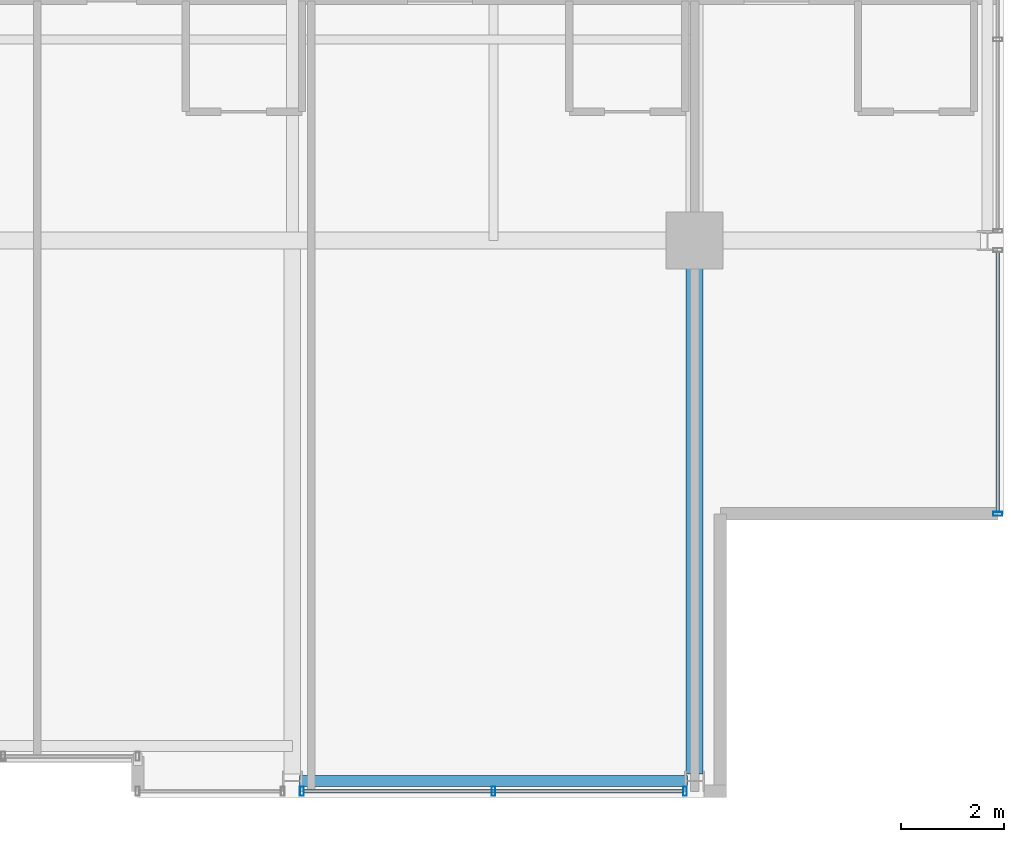
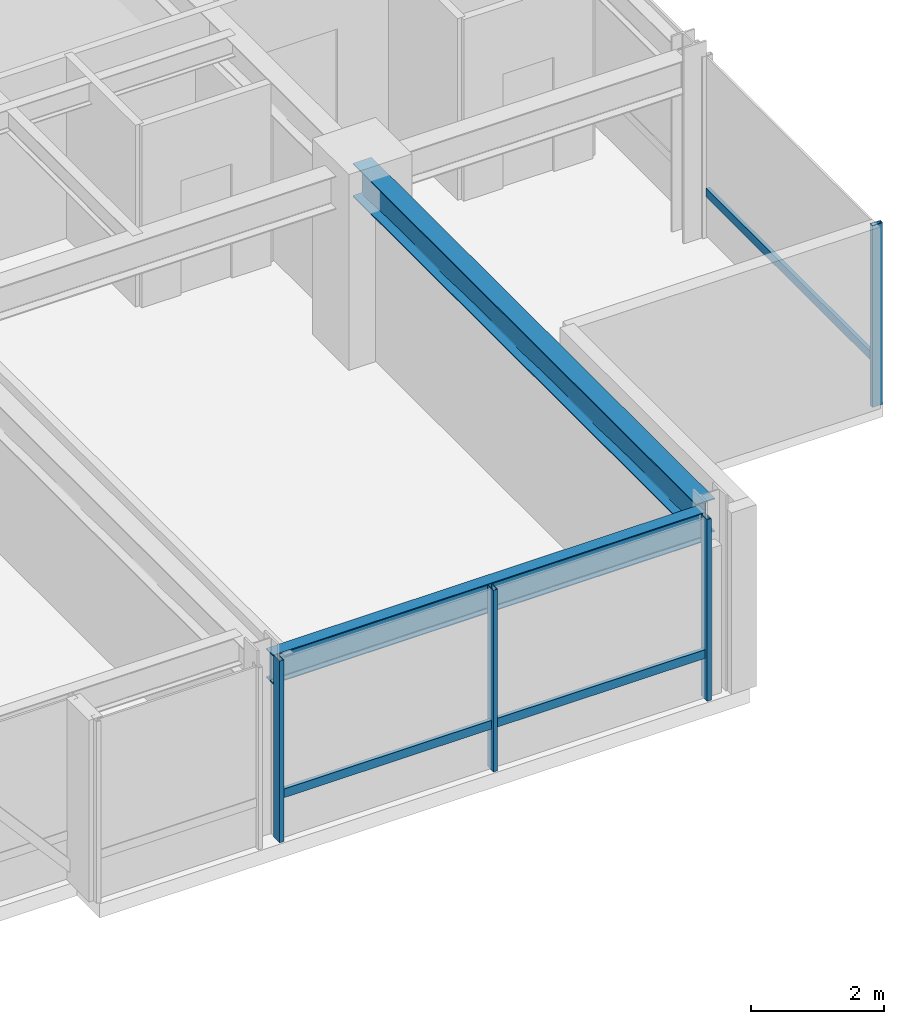
# One storey, part 12 of 32: 6 members, 2 beams, 2 elements without a shape of their own.
"""IFC4 building model written with IfcOpenShell, lengths in metres."""

from ifc_helpers import new_model, si_unit, direction, frame, origin, origin_2d, place, context, subcontext, project, spatial, hollow_rectangle, i_section, extrude, material, layer, layer_set, material_profile, profile_set, type_object, element, aggregate, save


model = new_model("IFC4")

# Units and contexts
model_context = context("Model", 3, precision=1e-05, world=origin(), true_north=direction((0.0, 1.0)))
body_context = subcontext(model_context, "Body", "Model", "MODEL_VIEW")
ifc_project = project(units=[si_unit("LENGTHUNIT", "METRE"), si_unit("AREAUNIT", "SQUARE_METRE"), si_unit("VOLUMEUNIT", "CUBIC_METRE"), si_unit("PLANEANGLEUNIT", "RADIAN"), si_unit("MASSUNIT", "GRAM", prefix="KILO")], contexts=[model_context])

# Site, building, storey
site_placement = place(None, origin())
site = spatial("IfcSite", under=ifc_project, at=site_placement, CompositionType="ELEMENT")
building_placement = place(site_placement, origin())
building = spatial("IfcBuilding", under=site, at=building_placement, Name="Drelvath Grand Hotel", CompositionType="ELEMENT")
storey_placement = place(building_placement, frame((0.0, 0.0, 233.89990234375)))
storey = spatial("IfcBuildingStorey", under=building, at=storey_placement, Name="L61", CompositionType="ELEMENT", Elevation=233.89990234375)

# Curtain wall, member
ifc_material_1 = material(Name="Platinum-Mist Anodised Aluminium Frame", Category="aluminium")
ifc_layer = layer(ifc_material_1, 0.199951171875)
ifc_layer_set = layer_set([ifc_layer], Name="Platinum-Mist Anodised Aluminium Frame")
curtain_wall_type = type_object("IfcCurtainWallType", Name="Stick Curtain Wall CW-05 Platinum Mist High-Rise", PredefinedType="NOTDEFINED", material=ifc_layer_set)
curtain_wall_1_placement = place(storey_placement, origin())
curtain_wall_1 = element("IfcCurtainWall", 1, at=curtain_wall_1_placement, inside=storey, type_object=curtain_wall_type, Name="L61 CW-05 Curtain Wall CW05-L61-ES1", PredefinedType="NOTDEFINED")
ifc_material_profile_1 = material_profile(ifc_material_1, hollow_rectangle(XDim=0.06494140625, YDim=0.159912109375, WallThickness=0.00390625, at=origin_2d()), Name="HSS160X65X4")
ifc_profile_set_1 = profile_set([ifc_material_profile_1], Name="Platinum-Mist Anodised Aluminium Frame")
member_type_1 = type_object("IfcMemberType", Name="Curtain Wall Horizontal Transom CW-05 HSS160X65X4", PredefinedType="USERDEFINED", material=ifc_profile_set_1)
member_1_placement = place(storey_placement, frame((22.080078125, 10.57470703125, 0.835205078125), z_axis=(0.0, -1.0, 0.0), x_axis=(1.0, 0.0, 0.0)))
member_1 = element("IfcMember", 2, at=member_1_placement, type_object=member_type_1, Name="CW05-L61-ES1 Sill Transom", ObjectType="TRANSOM", PredefinedType="USERDEFINED", context=body_context, shape_type="SweptSolid", body=[
    extrude(hollow_rectangle(XDim=0.06494140625, YDim=0.159912109375, WallThickness=0.00390625, at=origin_2d()), origin(), (0.0, 0.0, 1.0), 5.03466796875),
])

curtain_wall_2_placement = place(storey_placement, origin())
curtain_wall_2 = element("IfcCurtainWall", 3, at=curtain_wall_2_placement, inside=storey, type_object=curtain_wall_type, Name="L61 CW-05 Curtain Wall CW05-L61-SE2", PredefinedType="NOTDEFINED")
member_2_placement = place(storey_placement, frame((15.974609375, 0.1201171875, 0.835205078125), z_axis=(-1.0, 0.0, 0.0), x_axis=(0.0, -1.0, 0.0)))
member_2 = element("IfcMember", 4, at=member_2_placement, type_object=member_type_1, Name="CW05-L61-SE2 Sill Transom", ObjectType="TRANSOM", PredefinedType="USERDEFINED", context=body_context, shape_type="SweptSolid", body=[
    extrude(hollow_rectangle(XDim=0.06494140625, YDim=0.159912109375, WallThickness=0.00390625, at=origin_2d()), origin(), (0.0, 0.0, 1.0), 7.349365234375),
])

# Member
ifc_material_profile_2 = material_profile(ifc_material_1, hollow_rectangle(XDim=0.074951171875, YDim=0.179931640625, WallThickness=0.0048828125, at=origin_2d()), Name="HSS180X75X5")
ifc_profile_set_2 = profile_set([ifc_material_profile_2], Name="Platinum-Mist Anodised Aluminium Frame")
member_type_2 = type_object("IfcMemberType", Name="Curtain Wall Vertical Mullion CW-05 HSS180X75X5", PredefinedType="MULLION", material=ifc_profile_set_2)
member_3_placement = place(storey_placement, frame((22.080078125, 5.5, 0.0), z_axis=(0.0, 0.0, 1.0), x_axis=(0.0, 1.0, 0.0)))
member_3 = element("IfcMember", 5, at=member_3_placement, type_object=member_type_2, Name="CW05-L61-ES1 Mullion 2", PredefinedType="MULLION", context=body_context, shape_type="SweptSolid", body=[
    extrude(hollow_rectangle(XDim=0.074951171875, YDim=0.179931640625, WallThickness=0.0048828125, at=origin_2d()), origin(), (0.0, 0.0, 1.0), 3.340087890625),
])

aggregate(curtain_wall_1, [member_3, member_1])

member_4_placement = place(storey_placement, frame((16.0146484375, 0.1201171875, 0.0), z_axis=(0.0, 0.0, 1.0), x_axis=(1.0, 0.0, 0.0)))
member_4 = element("IfcMember", 6, at=member_4_placement, type_object=member_type_2, Name="CW05-L61-SE2 Mullion 1", PredefinedType="MULLION", context=body_context, shape_type="SweptSolid", body=[
    extrude(hollow_rectangle(XDim=0.074951171875, YDim=0.179931640625, WallThickness=0.0048828125, at=origin_2d()), origin(), (0.0, 0.0, 1.0), 3.340087890625),
])

member_5_placement = place(storey_placement, frame((12.300048828125, 0.1201171875, 0.0), z_axis=(0.0, 0.0, 1.0), x_axis=(1.0, 0.0, 0.0)))
member_5 = element("IfcMember", 7, at=member_5_placement, type_object=member_type_2, Name="CW05-L61-SE2 Mullion 2", PredefinedType="MULLION", context=body_context, shape_type="SweptSolid", body=[
    extrude(hollow_rectangle(XDim=0.074951171875, YDim=0.179931640625, WallThickness=0.0048828125, at=origin_2d()), origin(), (0.0, 0.0, 1.0), 3.340087890625),
])

member_6_placement = place(storey_placement, frame((8.585205078125, 0.1201171875, 0.0), z_axis=(0.0, 0.0, 1.0), x_axis=(1.0, 0.0, 0.0)))
member_6 = element("IfcMember", 8, at=member_6_placement, type_object=member_type_2, Name="CW05-L61-SE2 Mullion 3", PredefinedType="MULLION", context=body_context, shape_type="SweptSolid", body=[
    extrude(hollow_rectangle(XDim=0.074951171875, YDim=0.179931640625, WallThickness=0.0048828125, at=origin_2d()), origin(), (0.0, 0.0, 1.0), 3.340087890625),
])

aggregate(curtain_wall_2, [member_4, member_5, member_6, member_2])

# Beams
ifc_material_2 = material(Name="Steel ASTM A992 Gr 50", Category="steel")
ifc_material_profile_3 = material_profile(ifc_material_2, i_section(OverallWidth=0.210205078125, OverallDepth=0.53662109375, WebThickness=0.010986328125, FlangeThickness=0.017333984375, FilletRadius=0.01806640625, at=origin_2d()), Name="W21X68")
ifc_profile_set_3 = profile_set([ifc_material_profile_3], Name="Steel ASTM A992 Gr 50")
beam_type_1 = type_object("IfcBeamType", Name="Perimeter Spandrel Beam W21X68", PredefinedType="SPANDREL", material=ifc_profile_set_3)
beam_1_placement = place(storey_placement, frame((8.5400390625, 0.320068359375, 3.07177734375), z_axis=(1.0, 0.0, 0.0), x_axis=(0.0, 1.0, 0.0)))
element("IfcBeam", 9, at=beam_1_placement, inside=storey, type_object=beam_type_1, Name="L61 Spandrel South E", PredefinedType="SPANDREL", context=body_context, shape_type="SweptSolid", body=[
    extrude(i_section(OverallWidth=0.210205078125, OverallDepth=0.53662109375, WebThickness=0.010986328125, FlangeThickness=0.017333984375, FilletRadius=0.01806640625, at=origin_2d()), origin(), (0.0, 0.0, 1.0), 7.52001953125),
])
ifc_material_profile_4 = material_profile(ifc_material_2, i_section(OverallWidth=0.323974609375, OverallDepth=0.611083984375, WebThickness=0.0126953125, FlangeThickness=0.01904296875, FilletRadius=0.02197265625, at=origin_2d()), Name="W24X104")
ifc_profile_set_4 = profile_set([ifc_material_profile_4], Name="Steel ASTM A992 Gr 50")
beam_type_2 = type_object("IfcBeamType", Name="Primary Floor Girder W24X104", PredefinedType="BEAM", material=ifc_profile_set_4)
beam_2_placement = place(storey_placement, frame((16.199951171875, 0.4599609375, 3.034423828125), z_axis=(0.0, 1.0, 0.0), x_axis=(-1.0, 0.0, 0.0)))
element("IfcBeam", 10, at=beam_2_placement, inside=storey, type_object=beam_type_2, Name="L61 South Grid Girder 7", PredefinedType="BEAM", context=body_context, shape_type="SweptSolid", body=[
    extrude(i_section(OverallWidth=0.323974609375, OverallDepth=0.611083984375, WebThickness=0.0126953125, FlangeThickness=0.01904296875, FilletRadius=0.02197265625, at=origin_2d()), origin(), (0.0, 0.0, 1.0), 10.340087890625),
])

save(model, "model.ifc")
